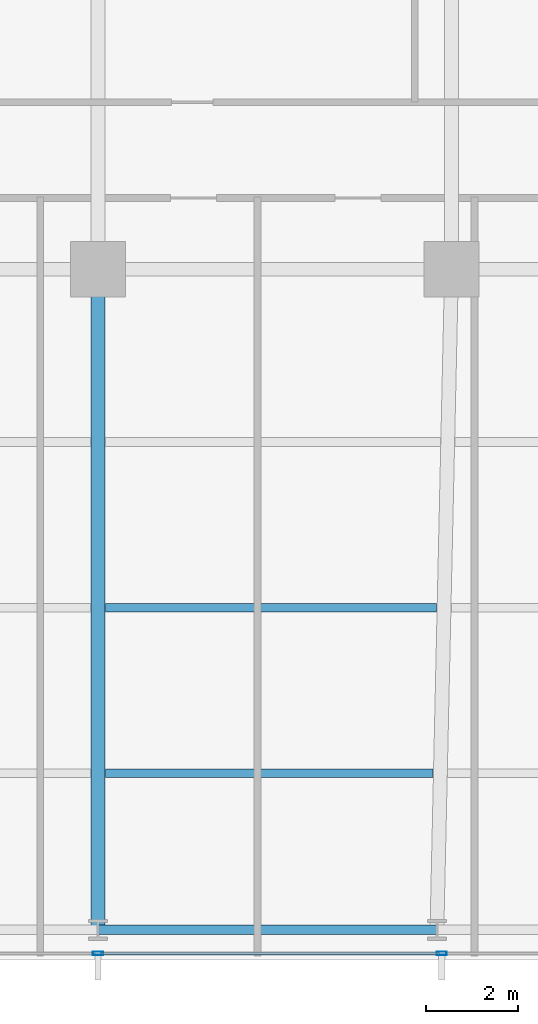
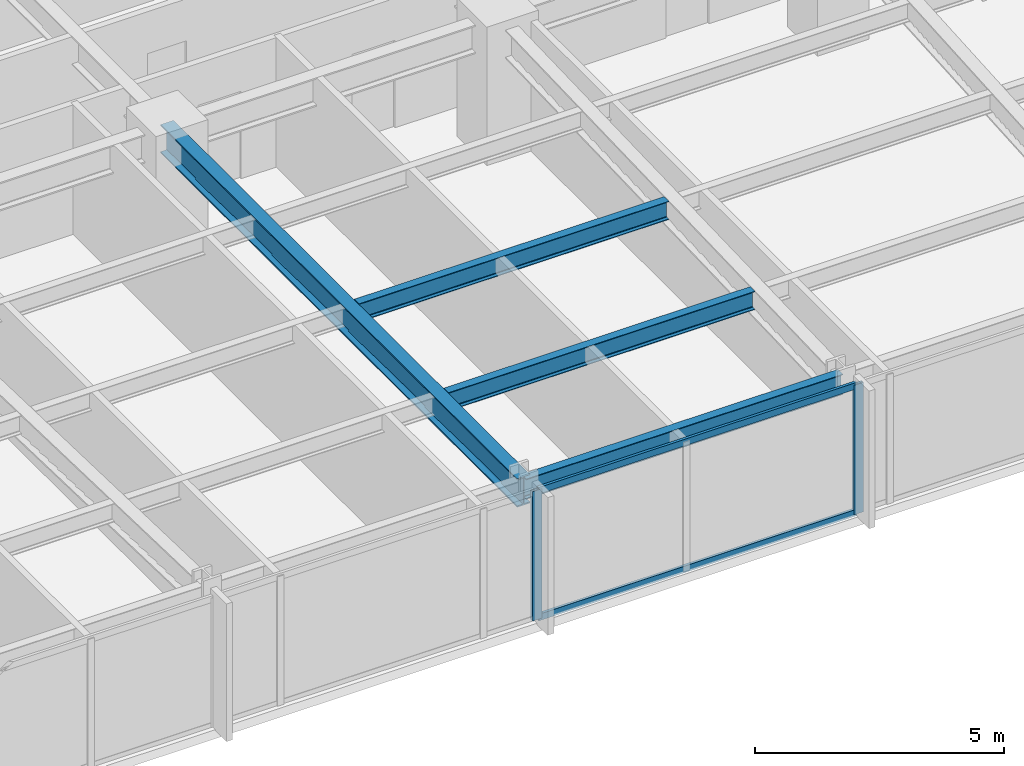
# One storey, part 11 of 33: 4 beams, 4 members, 1 element without a shape of its own.
"""IFC4 building model written with IfcOpenShell, lengths in metres."""

from ifc_helpers import new_model, si_unit, direction, frame, origin, origin_2d, place, context, subcontext, project, spatial, hollow_rectangle, i_section, extrude, material, material_profile, profile_set, type_object, element, aggregate, save


model = new_model("IFC4")

# Units and contexts
model_context = context("Model", 3, precision=1e-05, world=origin(), true_north=direction((0.0, 1.0)))
body_context = subcontext(model_context, "Body", "Model", "MODEL_VIEW")
ifc_project = project(units=[si_unit("LENGTHUNIT", "METRE"), si_unit("AREAUNIT", "SQUARE_METRE"), si_unit("VOLUMEUNIT", "CUBIC_METRE"), si_unit("PLANEANGLEUNIT", "RADIAN"), si_unit("MASSUNIT", "GRAM", prefix="KILO")], contexts=[model_context])

# Site, building, storey
site_placement = place(None, origin())
site = spatial("IfcSite", under=ifc_project, at=site_placement, CompositionType="ELEMENT")
building_placement = place(site_placement, origin())
building = spatial("IfcBuilding", under=site, at=building_placement, Name="Yelkora Congress Tower", CompositionType="ELEMENT")
storey_placement = place(building_placement, frame((0.0, 0.0, 54.199951171875)))
storey = spatial("IfcBuildingStorey", under=building, at=storey_placement, Name="L13", CompositionType="ELEMENT", Elevation=54.199951171875)

# Beams
ifc_material_1 = material(Name="Steel S355J2", Category="steel")
ifc_material_profile_1 = material_profile(ifc_material_1, i_section(OverallWidth=0.300048828125, OverallDepth=0.699951171875, WebThickness=0.01708984375, FlangeThickness=0.031982421875, FilletRadius=0.027099609375, at=origin_2d()), Name="HEB 700")
ifc_profile_set_1 = profile_set([ifc_material_profile_1], Name="Steel S355J2")
beam_type_1 = type_object("IfcBeamType", Name="BM-GIRD-HEB700", PredefinedType="BEAM", material=ifc_profile_set_1)
beam_1_placement = place(storey_placement, frame((38.39990234375, 10.85009765625, 2.830078125), z_axis=(0.0, 1.0, 0.0), x_axis=(-1.0, 0.0, 0.0)))
element("IfcBeam", 1, at=beam_1_placement, inside=storey, type_object=beam_type_1, Name="L13 Primary Frame Girder S05", PredefinedType="BEAM", context=body_context, shape_type="SweptSolid", body=[
    extrude(i_section(OverallWidth=0.300048828125, OverallDepth=0.699951171875, WebThickness=0.01708984375, FlangeThickness=0.031982421875, FilletRadius=0.027099609375, at=origin_2d()), origin(), (0.0, 0.0, 1.0), 14.349853515625),
])
ifc_material_profile_2 = material_profile(ifc_material_1, i_section(OverallWidth=0.18994140625, OverallDepth=0.449951171875, WebThickness=0.009521484375, FlangeThickness=0.0146484375, FilletRadius=0.02099609375, at=origin_2d()), Name="IPE 450")
ifc_profile_set_2 = profile_set([ifc_material_profile_2], Name="Steel S355J2")
beam_type_2 = type_object("IfcBeamType", Name="BM-JOIST-IPE450", PredefinedType="JOIST", material=ifc_profile_set_2)
beam_2_placement = place(storey_placement, frame((38.56005859375, 14.25, 2.955078125), z_axis=(1.0, 0.0, 0.0), x_axis=(0.0, 1.0, 0.0)))
element("IfcBeam", 2, at=beam_2_placement, inside=storey, type_object=beam_type_2, Name="L13 Composite Floor Joist 5", PredefinedType="JOIST", context=body_context, shape_type="SweptSolid", body=[
    extrude(i_section(OverallWidth=0.18994140625, OverallDepth=0.449951171875, WebThickness=0.009521484375, FlangeThickness=0.0146484375, FilletRadius=0.02099609375, at=origin_2d()), origin(), (0.0, 0.0, 1.0), 7.11767578125),
])
beam_3_placement = place(storey_placement, frame((38.56005859375, 17.85009765625, 2.955078125), z_axis=(1.0, 0.0, 0.0), x_axis=(0.0, 1.0, 0.0)))
element("IfcBeam", 3, at=beam_3_placement, inside=storey, type_object=beam_type_2, Name="L13 Composite Floor Joist 13", PredefinedType="JOIST", context=body_context, shape_type="SweptSolid", body=[
    extrude(i_section(OverallWidth=0.18994140625, OverallDepth=0.449951171875, WebThickness=0.009521484375, FlangeThickness=0.0146484375, FilletRadius=0.02099609375, at=origin_2d()), origin(), (0.0, 0.0, 1.0), 7.197265625),
])
ifc_material_profile_3 = material_profile(ifc_material_1, i_section(OverallWidth=0.199951171875, OverallDepth=0.5, WebThickness=0.01025390625, FlangeThickness=0.01611328125, FilletRadius=0.02099609375, at=origin_2d()), Name="IPE 500")
ifc_profile_set_3 = profile_set([ifc_material_profile_3], Name="Steel S355J2")
beam_type_3 = type_object("IfcBeamType", Name="BM-SPAN-IPE500", PredefinedType="SPANDREL", material=ifc_profile_set_3)
beam_4_placement = place(storey_placement, frame((38.39990234375, 10.85009765625, 2.929931640625), z_axis=(1.0, 0.0, 0.0), x_axis=(0.0, 1.0, 0.0)))
element("IfcBeam", 4, at=beam_4_placement, inside=storey, type_object=beam_type_3, Name="L13 Perimeter Beam 6", PredefinedType="SPANDREL", context=body_context, shape_type="SweptSolid", body=[
    extrude(i_section(OverallWidth=0.199951171875, OverallDepth=0.5, WebThickness=0.01025390625, FlangeThickness=0.01611328125, FilletRadius=0.02099609375, at=origin_2d()), origin(), (0.0, 0.0, 1.0), 7.362548828125),
])

# Curtain wall, members
ifc_material_2 = material(Name="Anodised aluminium and insulated glass", Category="aluminium")
curtain_wall_type = type_object("IfcCurtainWallType", Name="CW-SYS-B1", PredefinedType="NOTDEFINED", material=ifc_material_2)
curtain_wall_placement = place(storey_placement, origin())
curtain_wall = element("IfcCurtainWall", 5, at=curtain_wall_placement, inside=storey, type_object=curtain_wall_type, Name="L13 Unitised Curtain Wall 20", PredefinedType="NOTDEFINED")
ifc_material_3 = material(Name="Anodised aluminium 6063-T6", Category="aluminium")
ifc_material_profile_4 = material_profile(ifc_material_3, hollow_rectangle(XDim=0.074951171875, YDim=0.219970703125, WallThickness=0.0048828125, at=origin_2d()), Name="ALU 75x220x5")
ifc_profile_set_4 = profile_set([ifc_material_profile_4], Name="Anodised aluminium 6063-T6")
member_type_1 = type_object("IfcMemberType", Name="MEM-ML-B1", PredefinedType="MULLION", material=ifc_profile_set_4)
member_1_placement = place(storey_placement, frame((45.864990234375, 10.340087890625, 0.0), z_axis=(0.0, 0.0, 1.0), x_axis=(0.0, -1.0, 0.0)))
member_1 = element("IfcMember", 6, at=member_1_placement, type_object=member_type_1, Name="CW-B1 mullion 4", PredefinedType="MULLION", context=body_context, shape_type="SweptSolid", body=[
    extrude(hollow_rectangle(XDim=0.074951171875, YDim=0.219970703125, WallThickness=0.0048828125, at=origin_2d()), origin(), (0.0, 0.0, 1.0), 3.179931640625),
])
member_2_placement = place(storey_placement, frame((38.39990234375, 10.340087890625, 0.0), z_axis=(0.0, 0.0, 1.0), x_axis=(0.0, -1.0, 0.0)))
member_2 = element("IfcMember", 7, at=member_2_placement, type_object=member_type_1, Name="CW-B1 mullion 5", PredefinedType="MULLION", context=body_context, shape_type="SweptSolid", body=[
    extrude(hollow_rectangle(XDim=0.074951171875, YDim=0.219970703125, WallThickness=0.0048828125, at=origin_2d()), origin(), (0.0, 0.0, 1.0), 3.179931640625),
])
ifc_material_profile_5 = material_profile(ifc_material_3, hollow_rectangle(XDim=0.06494140625, YDim=0.159912109375, WallThickness=0.00390625, at=origin_2d()), Name="ALU 65x160x4")
ifc_profile_set_5 = profile_set([ifc_material_profile_5], Name="Anodised aluminium 6063-T6")
member_type_2 = type_object("IfcMemberType", Name="MEM-TR-B1", PredefinedType="USERDEFINED", material=ifc_profile_set_5)
member_3_placement = place(storey_placement, frame((45.827392578125, 10.340087890625, 0.032470703125), z_axis=(-1.0, 0.0, 0.0), x_axis=(0.0, -1.0, 0.0)))
member_3 = element("IfcMember", 8, at=member_3_placement, type_object=member_type_2, Name="CW-B1 transom 4.1", ObjectType="TRANSOM", PredefinedType="USERDEFINED", context=body_context, shape_type="SweptSolid", body=[
    extrude(hollow_rectangle(XDim=0.06494140625, YDim=0.159912109375, WallThickness=0.00390625, at=origin_2d()), origin(), (0.0, 0.0, 1.0), 7.389892578125),
])
member_4_placement = place(storey_placement, frame((45.827392578125, 10.340087890625, 3.1474609375), z_axis=(-1.0, 0.0, 0.0), x_axis=(0.0, -1.0, 0.0)))
member_4 = element("IfcMember", 9, at=member_4_placement, type_object=member_type_2, Name="CW-B1 transom 4.2", ObjectType="TRANSOM", PredefinedType="USERDEFINED", context=body_context, shape_type="SweptSolid", body=[
    extrude(hollow_rectangle(XDim=0.06494140625, YDim=0.159912109375, WallThickness=0.00390625, at=origin_2d()), origin(), (0.0, 0.0, 1.0), 7.389892578125),
])
aggregate(curtain_wall, [member_1, member_2, member_3, member_4])

save(model, "model.ifc")
